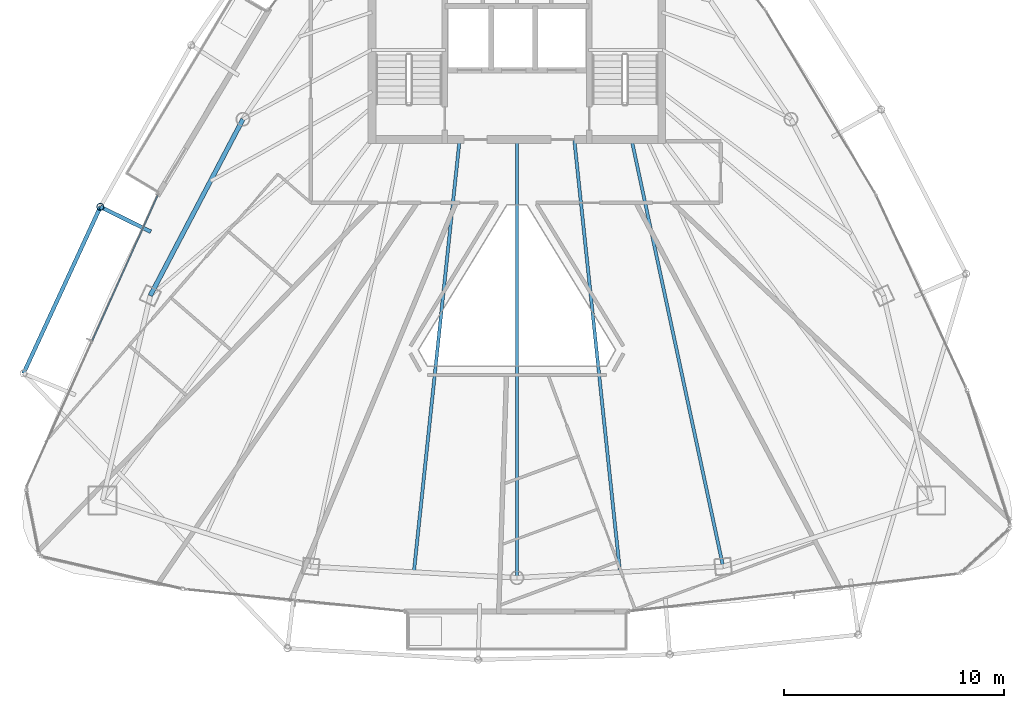
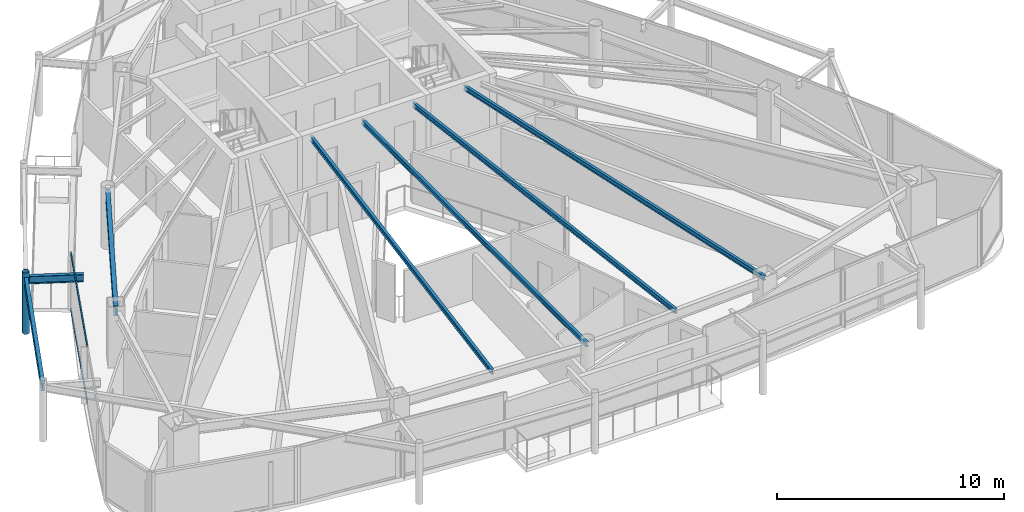
# One storey, part 9 of 29: 7 beams, 3 members, 1 element without a shape of its own.
"""IFC4 building model written with IfcOpenShell, lengths in metres."""

from ifc_helpers import new_model, si_unit, direction, frame, origin, origin_2d, place, context, subcontext, project, spatial, hollow_rectangle, hollow_circle, i_section, extrude, material, layer, layer_set, material_profile, profile_set, type_object, element, aggregate, save


model = new_model("IFC4")

# Units and contexts
model_context = context("Model", 3, precision=1e-05, world=origin(), true_north=direction((0.0, 1.0)))
body_context = subcontext(model_context, "Body", "Model", "MODEL_VIEW")
ifc_project = project(units=[si_unit("LENGTHUNIT", "METRE"), si_unit("AREAUNIT", "SQUARE_METRE"), si_unit("VOLUMEUNIT", "CUBIC_METRE"), si_unit("PLANEANGLEUNIT", "RADIAN"), si_unit("MASSUNIT", "GRAM", prefix="KILO")], contexts=[model_context])

# Site, building, storey
site_placement = place(None, origin())
site = spatial("IfcSite", under=ifc_project, at=site_placement, CompositionType="ELEMENT")
building_placement = place(site_placement, origin())
building = spatial("IfcBuilding", under=site, at=building_placement, Name="Orvanel Arch Residences", CompositionType="ELEMENT")
storey_placement = place(building_placement, frame((0.0, 0.0, 243.64990234375)))
storey = spatial("IfcBuildingStorey", under=building, at=storey_placement, Name="L69", CompositionType="ELEMENT", Elevation=243.64990234375)

# Beams
ifc_material_1 = material(Name="Structural steel AS/NZS 3679.1 Grade 300 (300 MPa)", Category="steel")
ifc_material_profile_1 = material_profile(ifc_material_1, i_section(OverallWidth=0.14599609375, OverallDepth=0.251953125, WebThickness=0.006103515625, FlangeThickness=0.008544921875, at=origin_2d()), Name="250UB31.4")
ifc_profile_set_1 = profile_set([ifc_material_profile_1], Name="Structural steel AS/NZS 3679.1 Grade 300 (300 MPa)")
beam_type_1 = type_object("IfcBeamType", Name="BJ-250UB", PredefinedType="JOIST", material=ifc_profile_set_1)
beam_1_placement = place(storey_placement, frame((38.199951171875, 26.72509765625, 2.93408203125), z_axis=(0.209547604985, -0.977798446125, 0.0), x_axis=(0.977798446125, 0.209547604985, 0.0)))
element("IfcBeam", 1, at=beam_1_placement, inside=storey, type_object=beam_type_1, Name="L69 SE Wing Floor Joist", PredefinedType="JOIST", context=body_context, shape_type="SweptSolid", body=[
    extrude(i_section(OverallWidth=0.14599609375, OverallDepth=0.251953125, WebThickness=0.006103515625, FlangeThickness=0.008544921875, at=origin_2d()), origin(), (0.0, 0.0, 1.0), 19.809814453125),
])
beam_2_placement = place(storey_placement, frame((33.0, 26.72509765625, 2.93408203125), z_axis=(0.0, -1.0, 0.0), x_axis=(1.0, 0.0, 0.0)))
element("IfcBeam", 2, at=beam_2_placement, inside=storey, type_object=beam_type_1, Name="L69 SSW Wing Floor Joist", PredefinedType="JOIST", context=body_context, shape_type="SweptSolid", body=[
    extrude(i_section(OverallWidth=0.14599609375, OverallDepth=0.251953125, WebThickness=0.006103515625, FlangeThickness=0.008544921875, at=origin_2d()), origin(), (0.0, 0.0, 1.0), 19.881103515625),
])
for number, where, z_axis, x_axis, name in (
    (3, (30.39990234375, 26.72509765625, 2.93408203125), (-0.105143936131, -0.994457014, 0.0), (0.994457014, -0.105143936131, 0.0), "L69 WSW2 Wing Floor Joist"),
    (4, (35.60009765625, 26.72509765625, 2.93408203125), (0.105143936131, -0.994457014, 0.0), (0.994457014, 0.105143936131, 0.0), "L69 ESE2 Wing Floor Joist"),
):
    element("IfcBeam", number, at=place(storey_placement, frame(where, z_axis=z_axis, x_axis=x_axis)), inside=storey, type_object=beam_type_1, Name=name, PredefinedType="JOIST", context=body_context, shape_type="SweptSolid", body=[
        extrude(i_section(OverallWidth=0.14599609375, OverallDepth=0.251953125, WebThickness=0.006103515625, FlangeThickness=0.008544921875, at=origin_2d()), origin(), (0.0, 0.0, 1.0), 19.734375),
    ])
ifc_material_profile_2 = material_profile(ifc_material_1, i_section(OverallWidth=0.177978515625, OverallDepth=0.406005859375, WebThickness=0.0078125, FlangeThickness=0.0126953125, at=origin_2d()), Name="410UB59.7")
ifc_profile_set_2 = profile_set([ifc_material_profile_2], Name="Structural steel AS/NZS 3679.1 Grade 300 (300 MPa)")
beam_type_2 = type_object("IfcBeamType", Name="OB-410UB-EXT", PredefinedType="SPANDREL", material=ifc_profile_set_2)
beam_3_placement = place(storey_placement, frame((16.39111328125, 22.541015625, 2.857177734375), z_axis=(-0.897243036385, 0.441537012784, 0.0), x_axis=(-0.441537012784, -0.897243036385, 0.0)))
element("IfcBeam", 5, at=beam_3_placement, inside=storey, type_object=beam_type_2, Name="L69 Outer Frame Radial Tie Beam 03", PredefinedType="SPANDREL", context=body_context, shape_type="SweptSolid", body=[
    extrude(i_section(OverallWidth=0.177978515625, OverallDepth=0.406005859375, WebThickness=0.0078125, FlangeThickness=0.0126953125, at=origin_2d()), origin(), (0.0, 0.0, 1.0), 2.550048828125),
])
beam_4_placement = place(storey_placement, frame((14.10302734375, 23.6669921875, 2.857177734375), z_axis=(-0.418918559479, -0.908023810549, 0.0), x_axis=(0.908023810549, -0.418918559479, 0.0)))
element("IfcBeam", 6, at=beam_4_placement, inside=storey, type_object=beam_type_2, Name="L69 Outer Perimeter Floor Ring Beam 03", PredefinedType="SPANDREL", context=body_context, shape_type="SweptSolid", body=[
    extrude(i_section(OverallWidth=0.177978515625, OverallDepth=0.406005859375, WebThickness=0.0078125, FlangeThickness=0.0126953125, at=origin_2d()), origin(), (0.0, 0.0, 1.0), 8.31689453125),
])
ifc_material_profile_3 = material_profile(ifc_material_1, i_section(OverallWidth=0.208984375, OverallDepth=0.532958984375, WebThickness=0.01025390625, FlangeThickness=0.015625, at=origin_2d()), Name="530UB92.4")
ifc_profile_set_3 = profile_set([ifc_material_profile_3], Name="Structural steel AS/NZS 3679.1 Grade 300 (300 MPa)")
beam_type_3 = type_object("IfcBeamType", Name="SP-530UB", PredefinedType="SPANDREL", material=ifc_profile_set_3)
beam_5_placement = place(storey_placement, frame((20.569091796875, 27.64111328125, 2.794189453125), z_axis=(-0.465064762793, -0.885276660942, 0.0), x_axis=(0.885276660942, -0.465064762793, 0.0)))
element("IfcBeam", 7, at=beam_5_placement, inside=storey, type_object=beam_type_3, Name="L69 Perimeter Spandrel Beam 12", PredefinedType="SPANDREL", context=body_context, shape_type="SweptSolid", body=[
    extrude(i_section(OverallWidth=0.208984375, OverallDepth=0.532958984375, WebThickness=0.01025390625, FlangeThickness=0.015625, at=origin_2d()), origin(), (0.0, 0.0, 1.0), 9.03564453125),
])

# Member
ifc_material_2 = material(Name="Structural steel AS/NZS 1163 C350L0 (Grade 350)", Category="steel")
ifc_material_profile_4 = material_profile(ifc_material_2, hollow_circle(Radius=0.162109375, WallThickness=0.0126953125, at=origin_2d()), Name="CHS324x12.7")
ifc_profile_set_4 = profile_set([ifc_material_profile_4], Name="Structural steel AS/NZS 1163 C350L0 (Grade 350)")
member_type_1 = type_object("IfcMemberType", Name="ST-324CHS-EXT", PredefinedType="STRUT", material=ifc_profile_set_4)
member_1_placement = place(storey_placement, frame((14.10302734375, 23.6669921875, 0.0), z_axis=(0.0, 0.0, 1.0), x_axis=(1.0, 0.0, 0.0)))
element("IfcMember", 8, at=member_1_placement, inside=storey, type_object=member_type_1, Name="L69 Outer Perimeter Frame Post 03", PredefinedType="STRUT", context=body_context, shape_type="SweptSolid", body=[
    extrude(hollow_circle(Radius=0.162109375, WallThickness=0.0126953125, at=origin_2d()), origin(), (0.0, 0.0, 1.0), 3.300048828125),
])

# Curtain wall, members
ifc_material_3 = material(Name="Bronze-anodised aluminium AA6063-T6", Category="aluminium")
ifc_layer = layer(ifc_material_3, 0.175048828125)
ifc_layer_set = layer_set([ifc_layer], Name="Bronze-anodised aluminium AA6063-T6")
curtain_wall_type = type_object("IfcCurtainWallType", Name="CW4-HI-SYS", PredefinedType="NOTDEFINED", material=ifc_layer_set)
curtain_wall_placement = place(storey_placement, origin())
curtain_wall = element("IfcCurtainWall", 9, at=curtain_wall_placement, inside=storey, type_object=curtain_wall_type, Name="L69 CW4-HI-SYS Unitised Curtain Wall", PredefinedType="NOTDEFINED")
ifc_material_profile_5 = material_profile(ifc_material_3, hollow_rectangle(XDim=0.06005859375, YDim=0.1201171875, WallThickness=0.00341796875, at=origin_2d()), Name="ALU120x60x3.5")
ifc_profile_set_5 = profile_set([ifc_material_profile_5], Name="Bronze-anodised aluminium AA6063-T6")
member_type_2 = type_object("IfcMemberType", Name="TRN-120x60", PredefinedType="USERDEFINED", material=ifc_profile_set_5)
member_2_placement = place(storey_placement, frame((16.7001953125, 24.1806640625, 0.030029296875), z_axis=(-0.410577324573, -0.911825784098, 0.0), x_axis=(0.911825784098, -0.410577324573, 0.0)))
member_2 = element("IfcMember", 10, at=member_2_placement, type_object=member_type_2, Name="CW-S4 transom 1.1", ObjectType="TRANSOM", PredefinedType="USERDEFINED", context=body_context, shape_type="SweptSolid", body=[
    extrude(hollow_rectangle(XDim=0.06005859375, YDim=0.1201171875, WallThickness=0.00341796875, at=origin_2d()), origin(), (0.0, 0.0, 1.0), 7.2080078125),
])
member_3_placement = place(storey_placement, frame((16.7001953125, 24.1806640625, 3.030029296875), z_axis=(-0.410577324573, -0.911825784098, 0.0), x_axis=(0.911825784098, -0.410577324573, 0.0)))
member_3 = element("IfcMember", 11, at=member_3_placement, type_object=member_type_2, Name="CW-S4 transom 1.2", ObjectType="TRANSOM", PredefinedType="USERDEFINED", context=body_context, shape_type="SweptSolid", body=[
    extrude(hollow_rectangle(XDim=0.06005859375, YDim=0.1201171875, WallThickness=0.00341796875, at=origin_2d()), origin(), (0.0, 0.0, 1.0), 7.2080078125),
])
aggregate(curtain_wall, [member_2, member_3])

save(model, "model.ifc")
